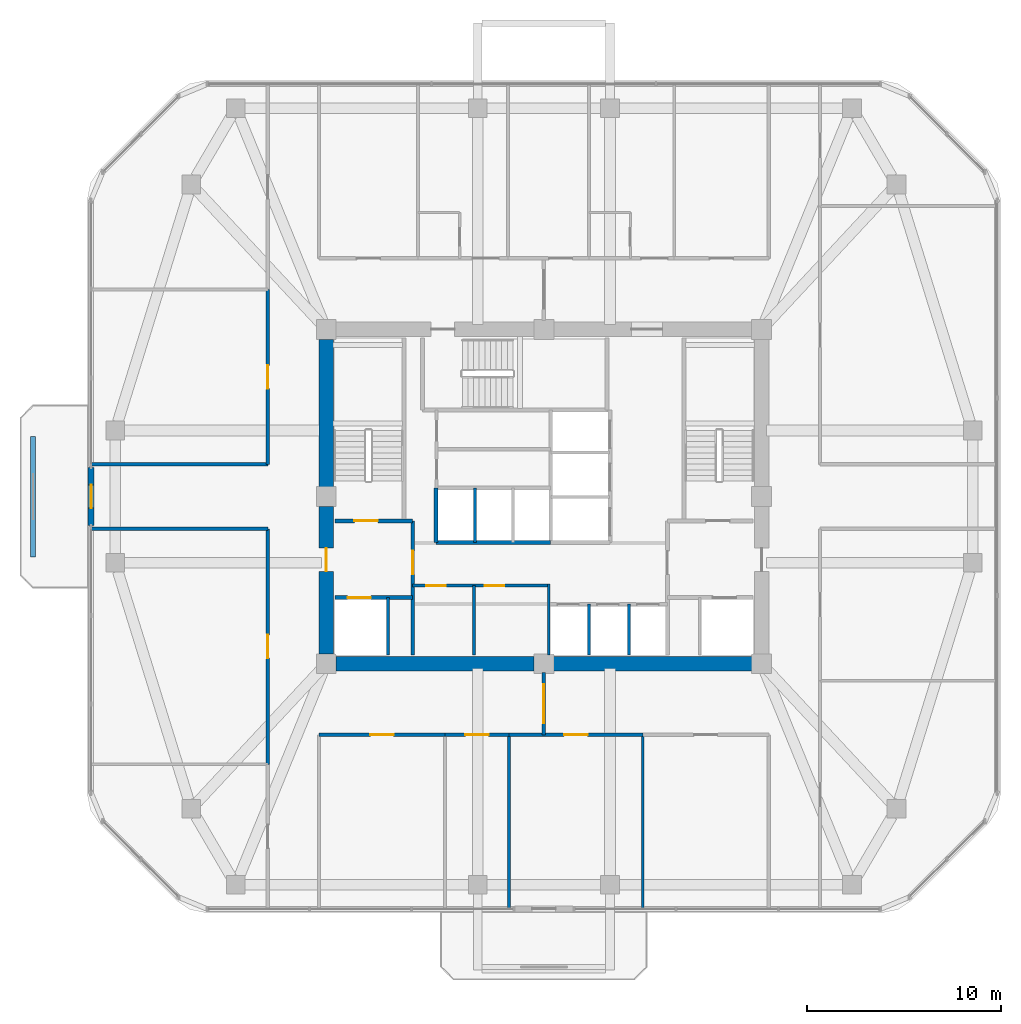
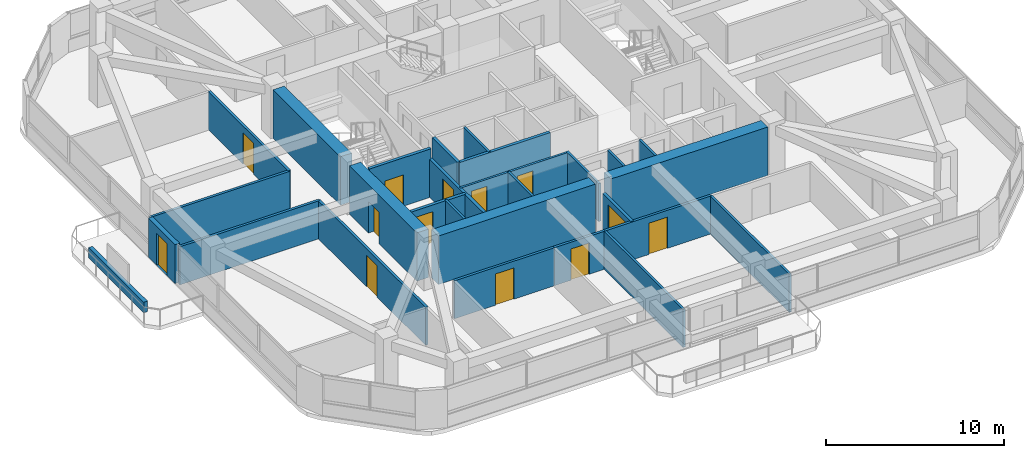
# One storey, part 7 of 12: 28 walls, 13 doors, 13 openings.
"""IFC4 building model written with IfcOpenShell, lengths in metres."""

from ifc_helpers import new_model, si_unit, derived_unit, direction, frame, frame_2d, origin, place, context, subcontext, project, spatial, rectangle, extrude, material, layer, layer_set, type_object, element, fill, save


model = new_model("IFC4")

# Units and contexts
model_context = context("Model", 3, precision=1e-05, world=origin(), true_north=direction((0.0, 1.0)))
body_context = subcontext(model_context, "Body", "Model", "MODEL_VIEW")
ifc_project = project(units=[si_unit("LENGTHUNIT", "METRE"), si_unit("AREAUNIT", "SQUARE_METRE"), si_unit("VOLUMEUNIT", "CUBIC_METRE"), si_unit("PLANEANGLEUNIT", "RADIAN"), si_unit("MASSUNIT", "GRAM", prefix="KILO"), derived_unit("THERMALTRANSMITTANCEUNIT", [(si_unit("POWERUNIT", "WATT"), 1), (si_unit("LENGTHUNIT", "METRE"), -2), (si_unit("THERMODYNAMICTEMPERATUREUNIT", "KELVIN"), -1)])], contexts=[model_context])

# Site, building, storey
site_placement = place(None, origin())
site = spatial("IfcSite", under=ifc_project, at=site_placement, CompositionType="ELEMENT")
building_placement = place(site_placement, origin())
building = spatial("IfcBuilding", under=site, at=building_placement, Name="Koralith Skygarden Medical Center", CompositionType="ELEMENT")
storey_placement = place(building_placement, frame((0.0, 0.0, 134.820068359375)))
storey = spatial("IfcBuildingStorey", under=building, at=storey_placement, Name="L34", CompositionType="ELEMENT", Elevation=134.820068359375)

# Wall, openings, doors
ifc_material_1 = material(Name="Gypsum Board Partition")
ifc_layer_1 = layer(ifc_material_1, 0.14990234375)
ifc_layer_set_1 = layer_set([ifc_layer_1], Name="Gypsum Board Partition")
wall_type_1 = type_object("IfcWallType", Name="Clinical Acoustic Partition 150", PredefinedType="PARTITIONING", material=ifc_layer_set_1)
wall_1_placement = place(storey_placement, frame((30.25, 21.320068359375, 0.0), z_axis=(0.0, 0.0, 1.0), x_axis=(1.0, 0.0, 0.0)))
wall_1 = element("IfcWall", 1, at=wall_1_placement, inside=storey, type_object=wall_type_1, Name="L34 Clinical Acoustic Partition 150 W-CORE-L34-FREED-LR-N", PredefinedType="PARTITIONING", context=body_context, shape_type="SweptSolid", body=[
    extrude(rectangle(XDim=7.0, YDim=0.14990234375, at=frame_2d((3.5, 0.0))), origin(), (0.0, 0.0, 1.0), 2.60986328125),
])
opening_1_placement = place(wall_1_placement, frame((0.699951171875, 0.0, 0.0)))
opening_1 = element("IfcOpeningElement", 2, at=opening_1_placement, cuts=wall_1, Name="Opening D-SUP", PredefinedType="OPENING", context=body_context, shape_type="SweptSolid", body=[
    extrude(rectangle(XDim=1.0, YDim=2.14990234375, at=frame_2d((0.5, 1.074951171875))), frame((0.0, 0.0849609375, 0.0), z_axis=(0.0, -1.0, 0.0), x_axis=(1.0, 0.0, 0.0)), (0.0, 0.0, 1.0), 0.169921875),
])
opening_2_placement = place(wall_1_placement, frame((3.699951171875, 0.0, 0.0)))
opening_2 = element("IfcOpeningElement", 3, at=opening_2_placement, cuts=wall_1, Name="Opening D-SUP", PredefinedType="OPENING", context=body_context, shape_type="SweptSolid", body=[
    extrude(rectangle(XDim=1.0, YDim=2.14990234375, at=frame_2d((0.5, 1.074951171875))), frame((0.0, 0.0849609375, 0.0), z_axis=(0.0, -1.0, 0.0), x_axis=(1.0, 0.0, 0.0)), (0.0, 0.0, 1.0), 0.169921875),
])
ifc_material_2 = material(Name="Aluminium 6063-T6", Category="aluminium")
door_type_1 = type_object("IfcDoorType", Name="Clinical Support Door D-SUP 1000", OperationType="NOTDEFINED", PredefinedType="DOOR", material=ifc_material_2)
door_1_placement = place(opening_1_placement, frame((1.0, 0.0, 0.0), z_axis=(0.0, 0.0, 1.0), x_axis=(-1.0, 0.0, 0.0)))
door_1 = element("IfcDoor", 4, at=door_1_placement, inside=storey, type_object=door_type_1, Name="L34 Medication Preparation Door", OperationType="SINGLE_SWING_LEFT", OverallHeight=2.14990234375, OverallWidth=1.0, PredefinedType="DOOR", context=body_context, shape_type="SweptSolid", body=[
    extrude(rectangle(XDim=1.0, YDim=2.14990234375, at=frame_2d((0.5, 1.074951171875))), frame((0.0, 0.02490234375, 0.0), z_axis=(0.0, -1.0, 0.0), x_axis=(1.0, 0.0, 0.0)), (0.0, 0.0, 1.0), 0.050048828125),
])
fill(opening_1, door_1)
door_2_placement = place(opening_2_placement, frame((1.0, 0.0, 0.0), z_axis=(0.0, 0.0, 1.0), x_axis=(-1.0, 0.0, 0.0)))
door_2 = element("IfcDoor", 5, at=door_2_placement, inside=storey, type_object=door_type_1, Name="L34 Telemetry Room Door", OperationType="SINGLE_SWING_RIGHT", OverallHeight=2.14990234375, OverallWidth=1.0, PredefinedType="DOOR", context=body_context, shape_type="SweptSolid", body=[
    extrude(rectangle(XDim=1.0, YDim=2.14990234375, at=frame_2d((0.5, 1.074951171875))), frame((0.0, 0.02490234375, 0.0), z_axis=(0.0, -1.0, 0.0), x_axis=(1.0, 0.0, 0.0)), (0.0, 0.0, 1.0), 0.050048828125),
])
fill(opening_2, door_2)

# Walls
wall_2_placement = place(storey_placement, frame((33.39990234375, 17.75, 0.0), z_axis=(0.0, 0.0, 1.0), x_axis=(0.0, 1.0, 0.0)))
element("IfcWall", 6, at=wall_2_placement, inside=storey, type_object=wall_type_1, Name="L34 Clinical Acoustic Partition 150 W-CORE-L34-FREED-LR-M", PredefinedType="PARTITIONING", context=body_context, shape_type="SweptSolid", body=[
    extrude(rectangle(XDim=3.570068359375, YDim=0.14990234375, at=frame_2d((1.78515625, 0.0))), origin(), (0.0, 0.0, 1.0), 2.60986328125),
])
for number, where, z_axis, x_axis, name in (
    (7, (35.199951171875, 13.639892578125, 0.0), (0.0, 0.0, 1.0), (0.0, -1.0, 0.0), "L34 Clinical Acoustic Partition 150 W-PART-L34-S-02"),
    (8, (42.0859375, 13.639892578125, 0.0), (0.0, 0.0, 1.0), (0.0, -1.0, 0.0), "L34 Clinical Acoustic Partition 150 W-PART-L34-S-03"),
):
    element("IfcWall", number, at=place(storey_placement, frame(where, z_axis=z_axis, x_axis=x_axis)), inside=storey, type_object=wall_type_1, Name=name, PredefinedType="PARTITIONING", context=body_context, shape_type="SweptSolid", body=[
        extrude(rectangle(XDim=8.93994140625, YDim=0.14990234375, at=frame_2d((4.469970703125, 0.0))), origin(), (0.0, 0.0, 1.0), 2.60986328125),
    ])
ifc_layer_2 = layer(ifc_material_1, 0.1650390625)
ifc_layer_set_2 = layer_set([ifc_layer_2], Name="Gypsum Board Partition")
wall_type_2 = type_object("IfcWallType", Name="Clinical Corridor Partition 165", PredefinedType="PARTITIONING", material=ifc_layer_set_2)
for number, where, z_axis, x_axis, name in (
    (9, (13.716064453125, 24.239990234375, 0.0), (0.0, 0.0, 1.0), (1.0, 0.0, 0.0), "L34 Clinical Corridor Partition 165 W-HCOR-L34-EWS-W"),
    (10, (13.716064453125, 27.56005859375, 0.0), (0.0, 0.0, 1.0), (1.0, 0.0, 0.0), "L34 Clinical Corridor Partition 165 W-HCOR-L34-EWN-W"),
):
    element("IfcWall", number, at=place(storey_placement, frame(where, z_axis=z_axis, x_axis=x_axis)), inside=storey, type_object=wall_type_2, Name=name, PredefinedType="PARTITIONING", context=body_context, shape_type="SweptSolid", body=[
        extrude(rectangle(XDim=9.073974609375, YDim=0.1650390625, at=frame_2d((4.537109375, 0.0))), origin(), (0.0, 0.0, 1.0), 2.60986328125),
    ])

# Wall, opening, door
wall_3_placement = place(storey_placement, frame((25.429931640625, 13.639892578125, 0.0), z_axis=(0.0, 0.0, 1.0), x_axis=(1.0, 0.0, 0.0)))
wall_3 = element("IfcWall", 11, at=wall_3_placement, inside=storey, type_object=wall_type_2, Name="L34 Clinical Corridor Partition 165 W-CORR-L34-S-01", PredefinedType="PARTITIONING", context=body_context, shape_type="SweptSolid", body=[
    extrude(rectangle(XDim=6.484130859375, YDim=0.1650390625, at=frame_2d((3.2421875, 0.0))), origin(), (0.0, 0.0, 1.0), 2.60986328125),
])
opening_3_placement = place(wall_3_placement, frame((2.64208984375, 0.0, 0.0)))
opening_3 = element("IfcOpeningElement", 12, at=opening_3_placement, cuts=wall_3, Name="Opening D-CLN", PredefinedType="OPENING", context=body_context, shape_type="SweptSolid", body=[
    extrude(rectangle(XDim=1.199951171875, YDim=2.14990234375, at=frame_2d((0.60009765625, 1.074951171875))), frame((0.0, 0.092529296875, 0.0), z_axis=(0.0, -1.0, 0.0), x_axis=(1.0, 0.0, 0.0)), (0.0, 0.0, 1.0), 0.18505859375),
])
door_type_2 = type_object("IfcDoorType", Name="Clinical Corridor Door D-CLN 1200", OperationType="NOTDEFINED", PredefinedType="DOOR", material=ifc_material_2)
door_3_placement = place(opening_3_placement, frame((1.199951171875, 0.0, 0.0), z_axis=(0.0, 0.0, 1.0), x_axis=(-1.0, 0.0, 0.0)))
door_3 = element("IfcDoor", 13, at=door_3_placement, inside=storey, type_object=door_type_2, Name="L34 Clinical Consultation Office 06 Door", OperationType="SINGLE_SWING_LEFT", OverallHeight=2.14990234375, OverallWidth=1.199951171875, PredefinedType="DOOR", context=body_context, shape_type="SweptSolid", body=[
    extrude(rectangle(XDim=1.199951171875, YDim=2.14990234375, at=frame_2d((0.60009765625, 1.074951171875))), frame((0.0, 0.02490234375, 0.0), z_axis=(0.0, -1.0, 0.0), x_axis=(1.0, 0.0, 0.0)), (0.0, 0.0, 1.0), 0.050048828125),
])
fill(opening_3, door_3)

wall_4_placement = place(storey_placement, frame((31.9140625, 13.639892578125, 0.0), z_axis=(0.0, 0.0, 1.0), x_axis=(1.0, 0.0, 0.0)))
wall_4 = element("IfcWall", 14, at=wall_4_placement, inside=storey, type_object=wall_type_2, Name="L34 Clinical Corridor Partition 165 W-CORR-L34-S-02", PredefinedType="PARTITIONING", context=body_context, shape_type="SweptSolid", body=[
    extrude(rectangle(XDim=3.285888671875, YDim=0.1650390625, at=frame_2d((1.64306640625, 0.0))), origin(), (0.0, 0.0, 1.0), 2.60986328125),
])
opening_4_placement = place(wall_4_placement, frame((1.04296875, 0.0, 0.0)))
opening_4 = element("IfcOpeningElement", 15, at=opening_4_placement, cuts=wall_4, Name="Opening D-CLN", PredefinedType="OPENING", context=body_context, shape_type="SweptSolid", body=[
    extrude(rectangle(XDim=1.199951171875, YDim=2.14990234375, at=frame_2d((0.60009765625, 1.074951171875))), frame((0.0, 0.092529296875, 0.0), z_axis=(0.0, -1.0, 0.0), x_axis=(1.0, 0.0, 0.0)), (0.0, 0.0, 1.0), 0.18505859375),
])
door_4_placement = place(opening_4_placement, frame((1.199951171875, 0.0, 0.0), z_axis=(0.0, 0.0, 1.0), x_axis=(-1.0, 0.0, 0.0)))
door_4 = element("IfcDoor", 16, at=door_4_placement, inside=storey, type_object=door_type_2, Name="L34 Procedure and Minor Treatment Room 07 Door", OperationType="SINGLE_SWING_RIGHT", OverallHeight=2.14990234375, OverallWidth=1.199951171875, PredefinedType="DOOR", context=body_context, shape_type="SweptSolid", body=[
    extrude(rectangle(XDim=1.199951171875, YDim=2.14990234375, at=frame_2d((0.60009765625, 1.074951171875))), frame((0.0, 0.02490234375, 0.0), z_axis=(0.0, -1.0, 0.0), x_axis=(1.0, 0.0, 0.0)), (0.0, 0.0, 1.0), 0.050048828125),
])
fill(opening_4, door_4)

wall_5_placement = place(storey_placement, frame((35.199951171875, 13.639892578125, 0.0), z_axis=(0.0, 0.0, 1.0), x_axis=(1.0, 0.0, 0.0)))
wall_5 = element("IfcWall", 17, at=wall_5_placement, inside=storey, type_object=wall_type_2, Name="L34 Clinical Corridor Partition 165 W-CORR-L34-S-03", PredefinedType="PARTITIONING", context=body_context, shape_type="SweptSolid", body=[
    extrude(rectangle(XDim=6.885986328125, YDim=0.1650390625, at=frame_2d((3.44287109375, 0.0))), origin(), (0.0, 0.0, 1.0), 2.60986328125),
])
opening_5_placement = place(wall_5_placement, frame((2.843017578125, 0.0, 0.0)))
opening_5 = element("IfcOpeningElement", 18, at=opening_5_placement, cuts=wall_5, Name="Opening D-CLN", PredefinedType="OPENING", context=body_context, shape_type="SweptSolid", body=[
    extrude(rectangle(XDim=1.199951171875, YDim=2.14990234375, at=frame_2d((0.60009765625, 1.074951171875))), frame((0.0, 0.092529296875, 0.0), z_axis=(0.0, -1.0, 0.0), x_axis=(1.0, 0.0, 0.0)), (0.0, 0.0, 1.0), 0.18505859375),
])
door_5_placement = place(opening_5_placement, frame((1.199951171875, 0.0, 0.0), z_axis=(0.0, 0.0, 1.0), x_axis=(-1.0, 0.0, 0.0)))
door_5 = element("IfcDoor", 19, at=door_5_placement, inside=storey, type_object=door_type_2, Name="L34 Patient and Family Sky-Garden Day Lounge 08 Door", OperationType="SINGLE_SWING_LEFT", OverallHeight=2.14990234375, OverallWidth=1.199951171875, PredefinedType="DOOR", context=body_context, shape_type="SweptSolid", body=[
    extrude(rectangle(XDim=1.199951171875, YDim=2.14990234375, at=frame_2d((0.60009765625, 1.074951171875))), frame((0.0, 0.02490234375, 0.0), z_axis=(0.0, -1.0, 0.0), x_axis=(1.0, 0.0, 0.0)), (0.0, 0.0, 1.0), 0.050048828125),
])
fill(opening_5, door_5)

wall_6_placement = place(storey_placement, frame((22.7900390625, 12.125, 0.0), z_axis=(0.0, 0.0, 1.0), x_axis=(0.0, 1.0, 0.0)))
wall_6 = element("IfcWall", 20, at=wall_6_placement, inside=storey, type_object=wall_type_2, Name="L34 Clinical Corridor Partition 165 W-CORR-L34-WS-02", PredefinedType="PARTITIONING", context=body_context, shape_type="SweptSolid", body=[
    extrude(rectangle(XDim=12.114990234375, YDim=0.1650390625, at=frame_2d((6.0576171875, 0.0))), origin(), (0.0, 0.0, 1.0), 2.60986328125),
])
opening_6_placement = place(wall_6_placement, frame((5.45703125, 0.0, 0.0)))
opening_6 = element("IfcOpeningElement", 21, at=opening_6_placement, cuts=wall_6, Name="Opening D-CLN", PredefinedType="OPENING", context=body_context, shape_type="SweptSolid", body=[
    extrude(rectangle(XDim=1.199951171875, YDim=2.14990234375, at=frame_2d((0.60009765625, 1.074951171875))), frame((0.0, 0.092529296875, 0.0), z_axis=(0.0, -1.0, 0.0), x_axis=(1.0, 0.0, 0.0)), (0.0, 0.0, 1.0), 0.18505859375),
])
door_6_placement = place(opening_6_placement, frame((1.199951171875, 0.0, 0.0), z_axis=(0.0, 0.0, 1.0), x_axis=(-1.0, 0.0, 0.0)))
door_6 = element("IfcDoor", 22, at=door_6_placement, inside=storey, type_object=door_type_2, Name="L34 Clinical Consultation Office 11 Door", OperationType="SINGLE_SWING_RIGHT", OverallHeight=2.14990234375, OverallWidth=1.199951171875, PredefinedType="DOOR", context=body_context, shape_type="SweptSolid", body=[
    extrude(rectangle(XDim=1.199951171875, YDim=2.14990234375, at=frame_2d((0.60009765625, 1.074951171875))), frame((0.0, 0.02490234375, 0.0), z_axis=(0.0, -1.0, 0.0), x_axis=(1.0, 0.0, 0.0)), (0.0, 0.0, 1.0), 0.050048828125),
])
fill(opening_6, door_6)

wall_7_placement = place(storey_placement, frame((22.7900390625, 27.56005859375, 0.0), z_axis=(0.0, 0.0, 1.0), x_axis=(0.0, 1.0, 0.0)))
wall_7 = element("IfcWall", 23, at=wall_7_placement, inside=storey, type_object=wall_type_2, Name="L34 Clinical Corridor Partition 165 W-CORR-L34-WN-01", PredefinedType="PARTITIONING", context=body_context, shape_type="SweptSolid", body=[
    extrude(rectangle(XDim=8.988037109375, YDim=0.1650390625, at=frame_2d((4.494140625, 0.0))), origin(), (0.0, 0.0, 1.0), 2.60986328125),
])
opening_7_placement = place(wall_7_placement, frame((3.89404296875, 0.0, 0.0)))
opening_7 = element("IfcOpeningElement", 24, at=opening_7_placement, cuts=wall_7, Name="Opening D-CLN", PredefinedType="OPENING", context=body_context, shape_type="SweptSolid", body=[
    extrude(rectangle(XDim=1.199951171875, YDim=2.14990234375, at=frame_2d((0.60009765625, 1.074951171875))), frame((0.0, 0.092529296875, 0.0), z_axis=(0.0, -1.0, 0.0), x_axis=(1.0, 0.0, 0.0)), (0.0, 0.0, 1.0), 0.18505859375),
])
door_7_placement = place(opening_7_placement, frame((1.199951171875, 0.0, 0.0), z_axis=(0.0, 0.0, 1.0), x_axis=(-1.0, 0.0, 0.0)))
door_7 = element("IfcDoor", 25, at=door_7_placement, inside=storey, type_object=door_type_2, Name="L34 Procedure and Minor Treatment Room 12 Door", OperationType="SINGLE_SWING_LEFT", OverallHeight=2.14990234375, OverallWidth=1.199951171875, PredefinedType="DOOR", context=body_context, shape_type="SweptSolid", body=[
    extrude(rectangle(XDim=1.199951171875, YDim=2.14990234375, at=frame_2d((0.60009765625, 1.074951171875))), frame((0.0, 0.02490234375, 0.0), z_axis=(0.0, -1.0, 0.0), x_axis=(1.0, 0.0, 0.0)), (0.0, 0.0, 1.0), 0.050048828125),
])
fill(opening_7, door_7)

ifc_layer_3 = layer(ifc_material_1, 0.199951171875)
ifc_layer_set_3 = layer_set([ifc_layer_3], Name="Gypsum Board Partition")
wall_type_3 = type_object("IfcWallType", Name="Fire Shaft Wall 200", PredefinedType="SOLIDWALL", material=ifc_layer_set_3)
wall_8_placement = place(storey_placement, frame((26.25, 20.699951171875, 0.0), z_axis=(0.0, 0.0, 1.0), x_axis=(1.0, 0.0, 0.0)))
wall_8 = element("IfcWall", 26, at=wall_8_placement, inside=storey, type_object=wall_type_3, Name="L34 Fire Shaft Wall 200 W-CORE-L34-FF1-N", PredefinedType="SOLIDWALL", context=body_context, shape_type="SweptSolid", body=[
    extrude(rectangle(XDim=4.0, YDim=0.199951171875, at=frame_2d((2.0, 0.0))), origin(), (0.0, 0.0, 1.0), 2.60986328125),
])
opening_8_placement = place(wall_8_placement, frame((0.64990234375, 0.0, 0.0)))
opening_8 = element("IfcOpeningElement", 27, at=opening_8_placement, cuts=wall_8, Name="Opening LD-FF", PredefinedType="OPENING", context=body_context, shape_type="SweptSolid", body=[
    extrude(rectangle(XDim=1.199951171875, YDim=2.14990234375, at=frame_2d((0.60009765625, 1.074951171875))), frame((0.0, 0.10986328125, 0.0), z_axis=(0.0, -1.0, 0.0), x_axis=(1.0, 0.0, 0.0)), (0.0, 0.0, 1.0), 0.219970703125),
])
ifc_material_3 = material(Name="Steel ASTM A500 Grade C", Category="steel")
door_type_3 = type_object("IfcDoorType", Name="Fire Lift Sliding Landing Door LD-FF 1200", OperationType="NOTDEFINED", PredefinedType="DOOR", material=ifc_material_3)
door_8_placement = place(opening_8_placement, origin())
door_8 = element("IfcDoor", 28, at=door_8_placement, inside=storey, type_object=door_type_3, Name="L34 Fire Service Elevator FF1 Landing Door", OperationType="SLIDING_TO_LEFT", OverallHeight=2.14990234375, OverallWidth=1.199951171875, PredefinedType="DOOR", context=body_context, shape_type="SweptSolid", body=[
    extrude(rectangle(XDim=1.199951171875, YDim=2.14990234375, at=frame_2d((0.60009765625, 1.074951171875))), frame((0.0, 0.02490234375, 0.0), z_axis=(0.0, -1.0, 0.0), x_axis=(1.0, 0.0, 0.0)), (0.0, 0.0, 1.0), 0.050048828125),
])
fill(opening_8, door_8)

wall_9_placement = place(storey_placement, frame((30.25, 17.75, 0.0), z_axis=(0.0, 0.0, 1.0), x_axis=(0.0, 1.0, 0.0)))
wall_9 = element("IfcWall", 29, at=wall_9_placement, inside=storey, type_object=wall_type_3, Name="L34 Fire Shaft Wall 200 W-CORE-L34-FSAEW-E", PredefinedType="SOLIDWALL", context=body_context, shape_type="SweptSolid", body=[
    extrude(rectangle(XDim=6.89990234375, YDim=0.199951171875, at=frame_2d((3.449951171875, 0.0))), origin(), (0.0, 0.0, 1.0), 2.60986328125),
])
opening_9_placement = place(wall_9_placement, frame((4.14990234375, 0.0, 0.0)))
opening_9 = element("IfcOpeningElement", 30, at=opening_9_placement, cuts=wall_9, Name="Opening D-ST60", PredefinedType="OPENING", context=body_context, shape_type="SweptSolid", body=[
    extrude(rectangle(XDim=1.199951171875, YDim=2.14990234375, at=frame_2d((0.60009765625, 1.074951171875))), frame((0.0, 0.10986328125, 0.0), z_axis=(0.0, -1.0, 0.0), x_axis=(1.0, 0.0, 0.0)), (0.0, 0.0, 1.0), 0.219970703125),
])
door_type_4 = type_object("IfcDoorType", Name="Smokeproof Stair Fire Door FD60S 1200", OperationType="NOTDEFINED", PredefinedType="DOOR", material=ifc_material_3)
door_9_placement = place(opening_9_placement, origin())
door_9 = element("IfcDoor", 31, at=door_9_placement, inside=storey, type_object=door_type_4, Name="L34 West Firefighting Lobby Inner Fire Door", OperationType="SINGLE_SWING_LEFT", OverallHeight=2.14990234375, OverallWidth=1.199951171875, PredefinedType="DOOR", context=body_context, shape_type="SweptSolid", body=[
    extrude(rectangle(XDim=1.199951171875, YDim=2.14990234375, at=frame_2d((0.60009765625, 1.074951171875))), frame((0.0, 0.02490234375, 0.0), z_axis=(0.0, -1.0, 0.0), x_axis=(1.0, 0.0, 0.0)), (0.0, 0.0, 1.0), 0.050048828125),
])
fill(opening_9, door_9)

# Walls
wall_10_placement = place(storey_placement, frame((31.449951171875, 23.5400390625, 0.0), z_axis=(0.0, 0.0, 1.0), x_axis=(1.0, 0.0, 0.0)))
element("IfcWall", 32, at=wall_10_placement, inside=storey, type_object=wall_type_3, Name="L34 Fire Shaft Wall 200 W-CORE-L34-PH-S", PredefinedType="SOLIDWALL", context=body_context, shape_type="SweptSolid", body=[
    extrude(rectangle(XDim=5.900146484375, YDim=0.199951171875, at=frame_2d((2.9501953125, 0.0))), origin(), (0.0, 0.0, 1.0), 2.60986328125),
])
wall_11_placement = place(storey_placement, frame((31.449951171875, 23.5400390625, 0.0), z_axis=(0.0, 0.0, 1.0), x_axis=(0.0, 1.0, 0.0)))
element("IfcWall", 33, at=wall_11_placement, inside=storey, type_object=wall_type_3, Name="L34 Fire Shaft Wall 200 W-CORE-L34-PH-W", PredefinedType="SOLIDWALL", context=body_context, shape_type="SweptSolid", body=[
    extrude(rectangle(XDim=2.81005859375, YDim=0.199951171875, at=frame_2d((1.405029296875, 0.0))), origin(), (0.0, 0.0, 1.0), 2.60986328125),
])

# Wall, opening, door
ifc_layer_4 = layer(ifc_material_1, 0.179931640625)
ifc_layer_set_4 = layer_set([ifc_layer_4], Name="Gypsum Board Partition")
wall_type_4 = type_object("IfcWallType", Name="Group I-2 Smoke Barrier Wall 180", PredefinedType="PARTITIONING", material=ifc_layer_set_4)
wall_12_placement = place(storey_placement, frame((37.0, 13.639892578125, 0.0), z_axis=(0.0, 0.0, 1.0), x_axis=(0.0, 1.0, 0.0)))
wall_12 = element("IfcWall", 34, at=wall_12_placement, inside=storey, type_object=wall_type_4, Name="L34 Group I-2 Smoke Barrier Wall 180 W-SMK-L34-S", PredefinedType="PARTITIONING", context=body_context, shape_type="SweptSolid", body=[
    extrude(rectangle(XDim=3.210205078125, YDim=0.179931640625, at=frame_2d((1.60498046875, 0.0))), origin(), (0.0, 0.0, 1.0), 2.60986328125),
])
opening_10_placement = place(wall_12_placement, frame((0.60498046875, 0.0, 0.0)))
opening_10 = element("IfcOpeningElement", 35, at=opening_10_placement, cuts=wall_12, Name="Opening D-SMK", PredefinedType="OPENING", context=body_context, shape_type="SweptSolid", body=[
    extrude(rectangle(XDim=2.0, YDim=2.199951171875, at=frame_2d((1.0, 1.10009765625))), frame((0.0, 0.099853515625, 0.0), z_axis=(0.0, -1.0, 0.0), x_axis=(1.0, 0.0, 0.0)), (0.0, 0.0, 1.0), 0.199951171875),
])
door_type_5 = type_object("IfcDoorType", Name="Cross-Corridor Double Smoke Door FD60S 2000", OperationType="NOTDEFINED", PredefinedType="DOOR", material=ifc_material_3)
door_10_placement = place(opening_10_placement, frame((2.0, 0.0, 0.0), z_axis=(0.0, 0.0, 1.0), x_axis=(-1.0, 0.0, 0.0)))
door_10 = element("IfcDoor", 36, at=door_10_placement, inside=storey, type_object=door_type_5, Name="L34 S Smoke Compartment Cross-Corridor Door", OperationType="DOUBLE_DOOR_SINGLE_SWING", OverallHeight=2.199951171875, OverallWidth=2.0, PredefinedType="DOOR", context=body_context, shape_type="SweptSolid", body=[
    extrude(rectangle(XDim=2.0, YDim=2.199951171875, at=frame_2d((1.0, 1.10009765625))), frame((0.0, 0.02490234375, 0.0), z_axis=(0.0, -1.0, 0.0), x_axis=(1.0, 0.0, 0.0)), (0.0, 0.0, 1.0), 0.050048828125),
])
fill(opening_10, door_10)

# Walls
ifc_material_4 = material(Name="Concrete C70/85", Category="concrete")
ifc_layer_5 = layer(ifc_material_4, 0.75)
ifc_layer_set_5 = layer_set([ifc_layer_5], Name="Concrete C70/85")
wall_type_5 = type_object("IfcWallType", Name="Mid Core Shear Wall 750", PredefinedType="SHEAR", material=ifc_layer_set_5)
for number, where, z_axis, x_axis, name in (
    (37, (26.304931640625, 17.300048828125, 0.0), (0.0, 0.0, 1.0), (1.0, 0.0, 0.0), "L34 Core Shear Wall Segment 1"),
    (38, (37.5048828125, 17.300048828125, 0.0), (0.0, 0.0, 1.0), (1.0, 0.0, 0.0), "L34 Core Shear Wall Segment 2"),
):
    element("IfcWall", number, at=place(storey_placement, frame(where, z_axis=z_axis, x_axis=x_axis)), inside=storey, type_object=wall_type_5, Name=name, PredefinedType="SHEAR", context=body_context, shape_type="SweptSolid", body=[
        extrude(rectangle(XDim=10.190185546875, YDim=0.75, at=frame_2d((5.09521484375, 0.0))), origin(), (0.0, 0.0, 1.0), 3.31982421875),
    ])
wall_13_placement = place(storey_placement, frame((25.800048828125, 33.9951171875, 0.0), z_axis=(0.0, 0.0, 1.0), x_axis=(0.0, -1.0, 0.0)))
element("IfcWall", 39, at=wall_13_placement, inside=storey, type_object=wall_type_5, Name="L34 Core Shear Wall Segment 7", PredefinedType="SHEAR", context=body_context, shape_type="SweptSolid", body=[
    extrude(rectangle(XDim=7.590087890625, YDim=0.75, at=frame_2d((3.794921875, 0.0))), origin(), (0.0, 0.0, 1.0), 3.31982421875),
])

# Wall, opening, door
wall_14_placement = place(storey_placement, frame((25.800048828125, 25.39501953125, 0.0), z_axis=(0.0, 0.0, 1.0), x_axis=(0.0, -1.0, 0.0)))
wall_14 = element("IfcWall", 40, at=wall_14_placement, inside=storey, type_object=wall_type_5, Name="L34 Core Shear Wall Segment 8", PredefinedType="SHEAR", context=body_context, shape_type="SweptSolid", body=[
    extrude(rectangle(XDim=7.590087890625, YDim=0.75, at=frame_2d((3.794921875, 0.0))), origin(), (0.0, 0.0, 1.0), 3.31982421875),
])
opening_11_placement = place(wall_14_placement, frame((2.14501953125, 0.0, 0.0)))
opening_11 = element("IfcOpeningElement", 41, at=opening_11_placement, cuts=wall_14, Name="Opening D-ST60", PredefinedType="OPENING", context=body_context, shape_type="SweptSolid", body=[
    extrude(rectangle(XDim=1.199951171875, YDim=2.14990234375, at=frame_2d((0.60009765625, 1.074951171875))), frame((0.0, 0.385009765625, 0.0), z_axis=(0.0, -1.0, 0.0), x_axis=(1.0, 0.0, 0.0)), (0.0, 0.0, 1.0), 0.77001953125),
])
door_11_placement = place(opening_11_placement, frame((1.199951171875, 0.0, 0.0), z_axis=(0.0, 0.0, 1.0), x_axis=(-1.0, 0.0, 0.0)))
door_11 = element("IfcDoor", 42, at=door_11_placement, inside=storey, type_object=door_type_4, Name="L34 West Corridor to Firefighting Lobby Door", OperationType="SINGLE_SWING_LEFT", OverallHeight=2.14990234375, OverallWidth=1.199951171875, PredefinedType="DOOR", context=body_context, shape_type="SweptSolid", body=[
    extrude(rectangle(XDim=1.199951171875, YDim=2.14990234375, at=frame_2d((0.60009765625, 1.074951171875))), frame((0.0, 0.02490234375, 0.0), z_axis=(0.0, -1.0, 0.0), x_axis=(1.0, 0.0, 0.0)), (0.0, 0.0, 1.0), 0.050048828125),
])
fill(opening_11, door_11)

ifc_material_5 = material(Name="Warm Oolitic Limestone Cladding", Category="masonry")
ifc_layer_6 = layer(ifc_material_5, 0.300048828125)
ifc_layer_set_6 = layer_set([ifc_layer_6], Name="Warm Oolitic Limestone Cladding")
wall_type_6 = type_object("IfcWallType", Name="Oolitic Limestone Insulated Facade Wall 300", PredefinedType="SOLIDWALL", material=ifc_layer_set_6)
wall_15_placement = place(storey_placement, frame((13.696044921875, 27.39990234375, 0.0), z_axis=(0.0, 0.0, 1.0), x_axis=(0.0, -1.0, 0.0)))
wall_15 = element("IfcWall", 43, at=wall_15_placement, inside=storey, type_object=wall_type_6, Name="L34 Terrace Portal Wall W", PredefinedType="SOLIDWALL", context=body_context, shape_type="SweptSolid", body=[
    extrude(rectangle(XDim=3.0, YDim=0.300048828125, at=frame_2d((1.5, 0.0))), origin(), (0.0, 0.0, 1.0), 2.669921875),
])
opening_12_placement = place(wall_15_placement, frame((0.89990234375, 0.0, 0.0)))
opening_12 = element("IfcOpeningElement", 44, at=opening_12_placement, cuts=wall_15, Name="Opening D-BAL", PredefinedType="OPENING", context=body_context, shape_type="SweptSolid", body=[
    extrude(rectangle(XDim=1.199951171875, YDim=2.199951171875, at=frame_2d((0.60009765625, 1.10009765625))), frame((0.0, 0.159912109375, 0.0), z_axis=(0.0, -1.0, 0.0), x_axis=(1.0, 0.0, 0.0)), (0.0, 0.0, 1.0), 0.320068359375),
])
door_type_6 = type_object("IfcDoorType", Name="Planted Balcony Glazed Terrace Door D-BAL 1200", OperationType="NOTDEFINED", PredefinedType="DOOR", material=ifc_material_2)
door_12_placement = place(opening_12_placement, origin())
door_12 = element("IfcDoor", 45, at=door_12_placement, inside=storey, type_object=door_type_6, Name="L34 W Outdoor Terrace Access Door", OperationType="SINGLE_SWING_LEFT", OverallHeight=2.199951171875, OverallWidth=1.199951171875, PredefinedType="DOOR", context=body_context, shape_type="SweptSolid", body=[
    extrude(rectangle(XDim=1.199951171875, YDim=2.199951171875, at=frame_2d((0.60009765625, 1.10009765625))), frame((0.0, 0.02490234375, 0.0), z_axis=(0.0, -1.0, 0.0), x_axis=(1.0, 0.0, 0.0)), (0.0, 0.0, 1.0), 0.050048828125),
])
fill(opening_12, door_12)

# Walls
ifc_layer_7 = layer(ifc_material_1, 0.14990234375)
ifc_layer_set_7 = layer_set([ifc_layer_7], Name="Gypsum Board Partition")
wall_type_7 = type_object("IfcWallType", Name="Shaft Partition Wall 150", PredefinedType="PARTITIONING", material=ifc_layer_set_7)
wall_16_placement = place(storey_placement, frame((28.969970703125, 17.75, 0.0), z_axis=(0.0, 0.0, 1.0), x_axis=(0.0, 1.0, 0.0)))
element("IfcWall", 46, at=wall_16_placement, inside=storey, type_object=wall_type_7, Name="L34 Shaft Partition Wall 150 W-CORE-L34-RSRW-DIV", PredefinedType="PARTITIONING", context=body_context, shape_type="SweptSolid", body=[
    extrude(rectangle(XDim=2.949951171875, YDim=0.14990234375, at=frame_2d((1.47509765625, 0.0))), origin(), (0.0, 0.0, 1.0), 2.60986328125),
])
for number, where, z_axis, x_axis, name in (
    (47, (39.320068359375, 17.75, 0.0), (0.0, 0.0, 1.0), (0.0, 1.0, 0.0), "L34 Shaft Partition Wall 150 W-CORE-L34-PM-D1"),
    (48, (41.3701171875, 17.75, 0.0), (0.0, 0.0, 1.0), (0.0, 1.0, 0.0), "L34 Shaft Partition Wall 150 W-CORE-L34-PM-D2"),
):
    element("IfcWall", number, at=place(storey_placement, frame(where, z_axis=z_axis, x_axis=x_axis)), inside=storey, type_object=wall_type_7, Name=name, PredefinedType="PARTITIONING", context=body_context, shape_type="SweptSolid", body=[
        extrude(rectangle(XDim=2.610107421875, YDim=0.14990234375, at=frame_2d((1.30517578125, 0.0))), origin(), (0.0, 0.0, 1.0), 2.60986328125),
    ])
wall_17_placement = place(storey_placement, frame((37.25, 17.75, 0.0), z_axis=(0.0, 0.0, 1.0), x_axis=(0.0, 1.0, 0.0)))
element("IfcWall", 49, at=wall_17_placement, inside=storey, type_object=wall_type_7, Name="L34 Shaft Partition Wall 150 W-CORE-L34-PL-PM-SEP", PredefinedType="PARTITIONING", context=body_context, shape_type="SweptSolid", body=[
    extrude(rectangle(XDim=3.64990234375, YDim=0.14990234375, at=frame_2d((1.824951171875, 0.0))), origin(), (0.0, 0.0, 1.0), 2.60986328125),
])
wall_18_placement = place(storey_placement, frame((33.449951171875, 23.5400390625, 0.0), z_axis=(0.0, 0.0, 1.0), x_axis=(0.0, 1.0, 0.0)))
element("IfcWall", 50, at=wall_18_placement, inside=storey, type_object=wall_type_7, Name="L34 Shaft Partition Wall 150 W-CORE-L34-PH-D1", PredefinedType="PARTITIONING", context=body_context, shape_type="SweptSolid", body=[
    extrude(rectangle(XDim=2.81005859375, YDim=0.14990234375, at=frame_2d((1.405029296875, 0.0))), origin(), (0.0, 0.0, 1.0), 2.60986328125),
])
ifc_material_6 = material(Name="Precast concrete C40/50", Category="concrete")
ifc_layer_8 = layer(ifc_material_6, 0.25)
ifc_layer_set_8 = layer_set([ifc_layer_8], Name="Precast concrete C40/50")
wall_type_8 = type_object("IfcWallType", Name="Structural Concrete Balcony Planter Kerb 250", PredefinedType="PARAPET", material=ifc_layer_set_8)
wall_19_placement = place(storey_placement, frame((10.716064453125, 22.800048828125, 0.0), z_axis=(0.0, 0.0, 1.0), x_axis=(0.0, 1.0, 0.0)))
element("IfcWall", 51, at=wall_19_placement, inside=storey, type_object=wall_type_8, Name="L34 W Structural Tree PLANTER Box", PredefinedType="PARAPET", context=body_context, shape_type="SweptSolid", body=[
    extrude(rectangle(XDim=6.199951171875, YDim=0.25, at=frame_2d((3.10009765625, 0.0))), origin(), (0.0, 0.0, 1.0), 0.719970703125),
])

# Wall, opening, door
ifc_material_7 = material(Name="Concrete C45/55", Category="concrete")
ifc_layer_9 = layer(ifc_material_7, 0.199951171875)
ifc_layer_set_9 = layer_set([ifc_layer_9], Name="Concrete C45/55")
wall_type_9 = type_object("IfcWallType", Name="Structural Stair Shaft Wall 200", PredefinedType="SHEAR", material=ifc_layer_set_9)
wall_20_placement = place(storey_placement, frame((26.25, 24.64990234375, 0.0), z_axis=(0.0, 0.0, 1.0), x_axis=(1.0, 0.0, 0.0)))
wall_20 = element("IfcWall", 52, at=wall_20_placement, inside=storey, type_object=wall_type_9, Name="L34 Structural Stair Shaft Wall 200 W-CORE-L34-ST1-S", PredefinedType="SHEAR", context=body_context, shape_type="SweptSolid", body=[
    extrude(rectangle(XDim=4.0, YDim=0.199951171875, at=frame_2d((2.0, 0.0))), origin(), (0.0, 0.0, 1.0), 3.31982421875),
])
opening_13_placement = place(wall_20_placement, frame((1.0, 0.0, 0.0)))
opening_13 = element("IfcOpeningElement", 53, at=opening_13_placement, cuts=wall_20, Name="Opening D-ST60", PredefinedType="OPENING", context=body_context, shape_type="SweptSolid", body=[
    extrude(rectangle(XDim=1.199951171875, YDim=2.14990234375, at=frame_2d((0.60009765625, 1.074951171875))), frame((0.0, 0.10986328125, 0.0), z_axis=(0.0, -1.0, 0.0), x_axis=(1.0, 0.0, 0.0)), (0.0, 0.0, 1.0), 0.219970703125),
])
door_13_placement = place(opening_13_placement, origin())
door_13 = element("IfcDoor", 54, at=door_13_placement, inside=storey, type_object=door_type_4, Name="L34 Exit Stair ST1 Fire Door", OperationType="SINGLE_SWING_LEFT", OverallHeight=2.14990234375, OverallWidth=1.199951171875, PredefinedType="DOOR", context=body_context, shape_type="SweptSolid", body=[
    extrude(rectangle(XDim=1.199951171875, YDim=2.14990234375, at=frame_2d((0.60009765625, 1.074951171875))), frame((0.0, 0.02490234375, 0.0), z_axis=(0.0, -1.0, 0.0), x_axis=(1.0, 0.0, 0.0)), (0.0, 0.0, 1.0), 0.050048828125),
])
fill(opening_13, door_13)

save(model, "model.ifc")
